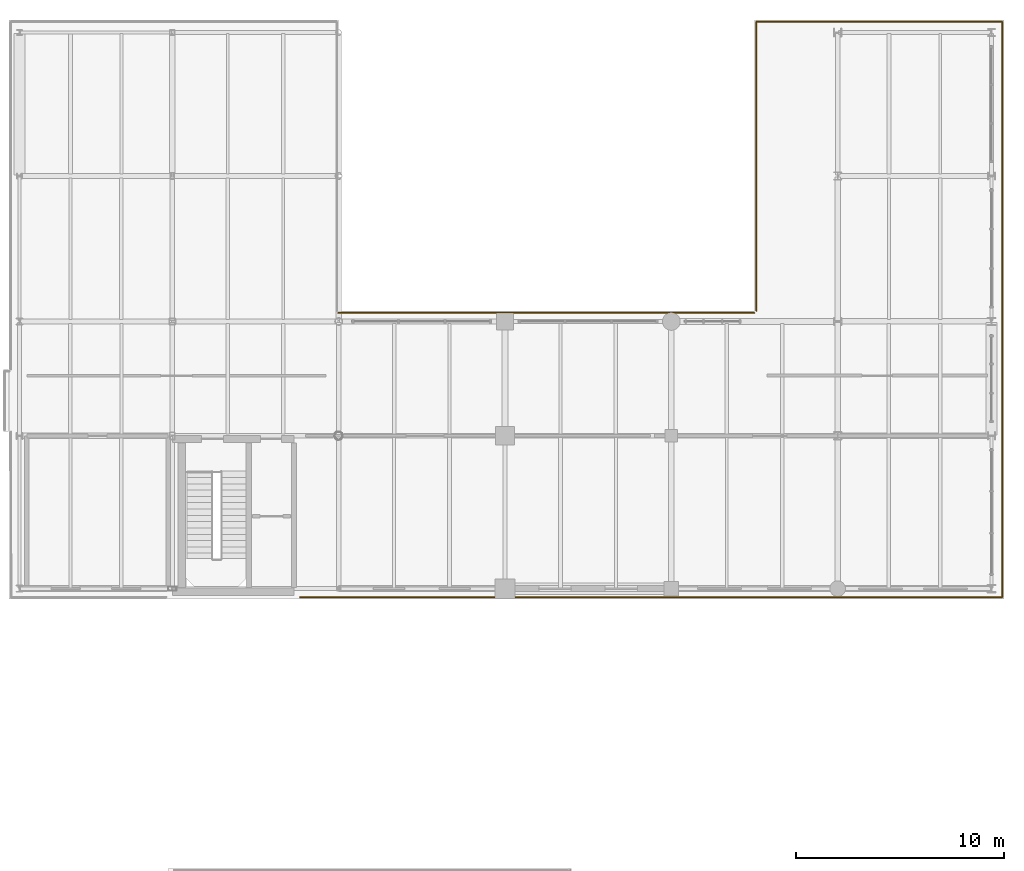
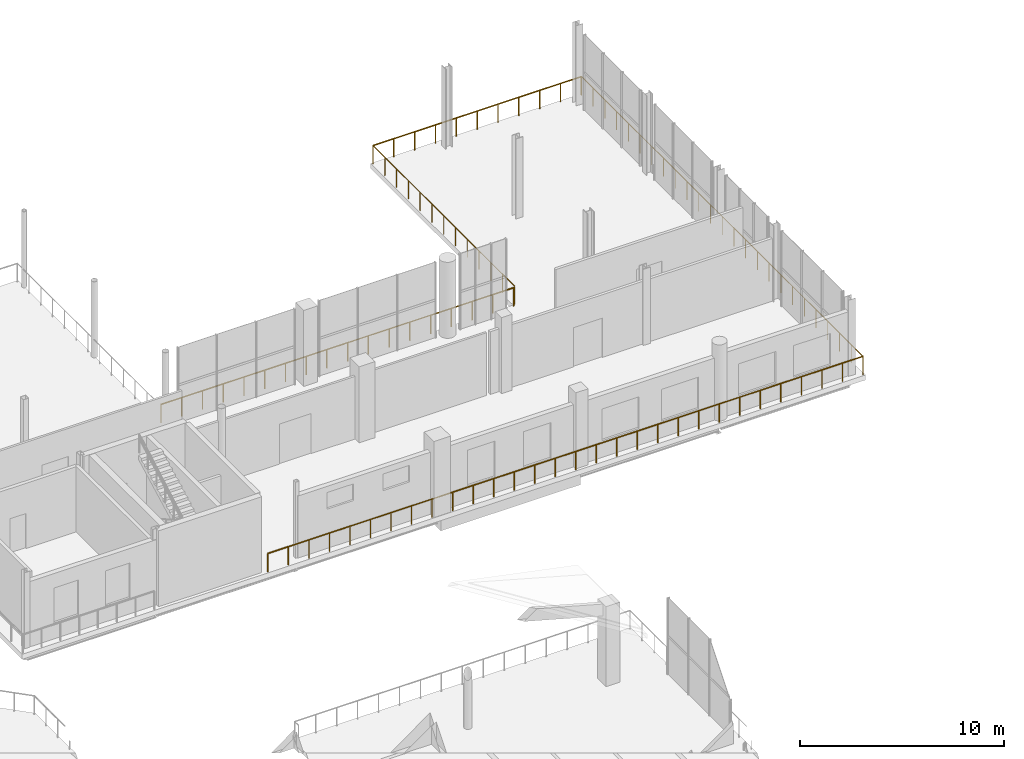
# One storey, part 70 of 70: 5 railings.
"""IFC4 building model written with IfcOpenShell, lengths in metres."""

from ifc_helpers import new_model, si_unit, direction, frame, origin, origin_2d, place, context, subcontext, project, spatial, circle, extrude, material, type_object, element, save


model = new_model("IFC4")

# Units and contexts
model_context = context("Model", 3, precision=1e-05, world=origin(), true_north=direction((0.0, 1.0)))
body_context = subcontext(model_context, "Body", "Model", "MODEL_VIEW")
ifc_project = project(units=[si_unit("LENGTHUNIT", "METRE"), si_unit("AREAUNIT", "SQUARE_METRE"), si_unit("VOLUMEUNIT", "CUBIC_METRE"), si_unit("PLANEANGLEUNIT", "RADIAN"), si_unit("MASSUNIT", "GRAM", prefix="KILO")], contexts=[model_context])

# Site, building, storey
site_placement = place(None, origin())
site = spatial("IfcSite", under=ifc_project, at=site_placement, CompositionType="ELEMENT")
building_placement = place(site_placement, origin())
building = spatial("IfcBuilding", under=site, at=building_placement, Name="Brisemont Oceanarium", CompositionType="ELEMENT")
storey_placement = place(building_placement, frame((0.0, 0.0, 10.199951171875)))
storey = spatial("IfcBuildingStorey", under=building, at=storey_placement, Name="L02", CompositionType="ELEMENT", Elevation=10.199951171875)

# Railings
ifc_material = material(Name="Duplex Stainless Steel EN 1.4462", Category="steel")
railing_type = type_object("IfcRailingType", Name="RLG-GUARD-1120", PredefinedType="GUARDRAIL", material=ifc_material)
railing_1_placement = place(storey_placement, frame((127.98193359375, 93.916748046875, 0.0)))
element("IfcRailing", 1, at=railing_1_placement, inside=storey, type_object=railing_type, Name="L02 slab perimeter safety guard 113", PredefinedType="GUARDRAIL", context=body_context, shape_type="SweptSolid", body=[
    extrude(circle(Radius=0.02392578125, at=origin_2d()), frame((0.0, 0.0, 1.09619140625), z_axis=(0.999999941576, -0.000341830237, 0.0), x_axis=(0.000341830237, 0.999999941576, 0.0)), (0.0, 0.0, 1.0), 19.998046875),
    extrude(circle(Radius=0.02099609375, at=origin_2d()), origin(), (0.0, 0.0, 1.0), 1.072021484375),
    extrude(circle(Radius=0.02099609375, at=origin_2d()), frame((1.17626953125, -0.00048828125, 0.0)), (0.0, 0.0, 1.0), 1.072021484375),
    extrude(circle(Radius=0.02099609375, at=origin_2d()), frame((2.352783203125, -0.000732421875, 0.0)), (0.0, 0.0, 1.0), 1.072021484375),
    extrude(circle(Radius=0.02099609375, at=origin_2d()), frame((3.529052734375, -0.001220703125, 0.0)), (0.0, 0.0, 1.0), 1.072021484375),
    extrude(circle(Radius=0.02099609375, at=origin_2d()), frame((4.705322265625, -0.001708984375, 0.0)), (0.0, 0.0, 1.0), 1.072021484375),
    extrude(circle(Radius=0.02099609375, at=origin_2d()), frame((5.8818359375, -0.001953125, 0.0)), (0.0, 0.0, 1.0), 1.072021484375),
    extrude(circle(Radius=0.02099609375, at=origin_2d()), frame((7.05810546875, -0.00244140625, 0.0)), (0.0, 0.0, 1.0), 1.072021484375),
    extrude(circle(Radius=0.02099609375, at=origin_2d()), frame((8.234375, -0.0029296875, 0.0)), (0.0, 0.0, 1.0), 1.072021484375),
    extrude(circle(Radius=0.02099609375, at=origin_2d()), frame((9.410888671875, -0.003173828125, 0.0)), (0.0, 0.0, 1.0), 1.072021484375),
    extrude(circle(Radius=0.02099609375, at=origin_2d()), frame((10.587158203125, -0.003662109375, 0.0)), (0.0, 0.0, 1.0), 1.072021484375),
    extrude(circle(Radius=0.02099609375, at=origin_2d()), frame((11.763671875, -0.00390625, 0.0)), (0.0, 0.0, 1.0), 1.072021484375),
    extrude(circle(Radius=0.02099609375, at=origin_2d()), frame((12.93994140625, -0.00439453125, 0.0)), (0.0, 0.0, 1.0), 1.072021484375),
    extrude(circle(Radius=0.02099609375, at=origin_2d()), frame((14.1162109375, -0.0048828125, 0.0)), (0.0, 0.0, 1.0), 1.072021484375),
    extrude(circle(Radius=0.02099609375, at=origin_2d()), frame((15.292724609375, -0.005126953125, 0.0)), (0.0, 0.0, 1.0), 1.072021484375),
    extrude(circle(Radius=0.02099609375, at=origin_2d()), frame((16.468994140625, -0.005615234375, 0.0)), (0.0, 0.0, 1.0), 1.072021484375),
    extrude(circle(Radius=0.02099609375, at=origin_2d()), frame((17.645263671875, -0.006103515625, 0.0)), (0.0, 0.0, 1.0), 1.072021484375),
    extrude(circle(Radius=0.02099609375, at=origin_2d()), frame((18.82177734375, -0.00634765625, 0.0)), (0.0, 0.0, 1.0), 1.072021484375),
    extrude(circle(Radius=0.02099609375, at=origin_2d()), frame((19.998046875, -0.0068359375, 0.0)), (0.0, 0.0, 1.0), 1.072021484375),
])
railing_2_placement = place(storey_placement, frame((148.090087890625, 94.02001953125, 0.0)))
element("IfcRailing", 2, at=railing_2_placement, inside=storey, type_object=railing_type, Name="L02 slab perimeter safety guard 114", PredefinedType="GUARDRAIL", context=body_context, shape_type="SweptSolid", body=[
    extrude(circle(Radius=0.02392578125, at=origin_2d()), frame((0.0, 0.0, 1.09619140625), z_axis=(0.0, 1.0, 0.0), x_axis=(-1.0, 0.0, 0.0)), (0.0, 0.0, 1.0), 13.889404296875),
    extrude(circle(Radius=0.02099609375, at=origin_2d()), origin(), (0.0, 0.0, 1.0), 1.072021484375),
    extrude(circle(Radius=0.02099609375, at=origin_2d()), frame((0.0, 1.157470703125, 0.0)), (0.0, 0.0, 1.0), 1.072021484375),
    extrude(circle(Radius=0.02099609375, at=origin_2d()), frame((0.0, 2.31494140625, 0.0)), (0.0, 0.0, 1.0), 1.072021484375),
    extrude(circle(Radius=0.02099609375, at=origin_2d()), frame((0.0, 3.472412109375, 0.0)), (0.0, 0.0, 1.0), 1.072021484375),
    extrude(circle(Radius=0.02099609375, at=origin_2d()), frame((0.0, 4.6298828125, 0.0)), (0.0, 0.0, 1.0), 1.072021484375),
    extrude(circle(Radius=0.02099609375, at=origin_2d()), frame((0.0, 5.787353515625, 0.0)), (0.0, 0.0, 1.0), 1.072021484375),
    extrude(circle(Radius=0.02099609375, at=origin_2d()), frame((0.0, 6.94482421875, 0.0)), (0.0, 0.0, 1.0), 1.072021484375),
    extrude(circle(Radius=0.02099609375, at=origin_2d()), frame((0.0, 8.10205078125, 0.0)), (0.0, 0.0, 1.0), 1.072021484375),
    extrude(circle(Radius=0.02099609375, at=origin_2d()), frame((0.0, 9.259521484375, 0.0)), (0.0, 0.0, 1.0), 1.072021484375),
    extrude(circle(Radius=0.02099609375, at=origin_2d()), frame((0.0, 10.4169921875, 0.0)), (0.0, 0.0, 1.0), 1.072021484375),
    extrude(circle(Radius=0.02099609375, at=origin_2d()), frame((0.0, 11.574462890625, 0.0)), (0.0, 0.0, 1.0), 1.072021484375),
    extrude(circle(Radius=0.02099609375, at=origin_2d()), frame((0.0, 12.73193359375, 0.0)), (0.0, 0.0, 1.0), 1.072021484375),
    extrude(circle(Radius=0.02099609375, at=origin_2d()), frame((0.0, 13.889404296875, 0.0)), (0.0, 0.0, 1.0), 1.072021484375),
])
railing_3_placement = place(storey_placement, frame((148.090087890625, 107.909423828125, 0.0)))
element("IfcRailing", 3, at=railing_3_placement, inside=storey, type_object=railing_type, Name="L02 slab perimeter safety guard 115", PredefinedType="GUARDRAIL", context=body_context, shape_type="SweptSolid", body=[
    extrude(circle(Radius=0.02392578125, at=origin_2d()), frame((0.0, 0.0, 1.09619140625), z_axis=(0.999999999147, 4.1312071e-05, 0.0), x_axis=(-4.1312071e-05, 0.999999999147, 0.0)), (0.0, 0.0, 1.0), 11.8193359375),
    extrude(circle(Radius=0.02099609375, at=origin_2d()), origin(), (0.0, 0.0, 1.0), 1.072021484375),
    extrude(circle(Radius=0.02099609375, at=origin_2d()), frame((1.181884765625, 0.0, 0.0)), (0.0, 0.0, 1.0), 1.072021484375),
    extrude(circle(Radius=0.02099609375, at=origin_2d()), frame((2.36376953125, 0.0, 0.0)), (0.0, 0.0, 1.0), 1.072021484375),
    extrude(circle(Radius=0.02099609375, at=origin_2d()), frame((3.5458984375, 0.000244140625, 0.0)), (0.0, 0.0, 1.0), 1.072021484375),
    extrude(circle(Radius=0.02099609375, at=origin_2d()), frame((4.727783203125, 0.000244140625, 0.0)), (0.0, 0.0, 1.0), 1.072021484375),
    extrude(circle(Radius=0.02099609375, at=origin_2d()), frame((5.90966796875, 0.000244140625, 0.0)), (0.0, 0.0, 1.0), 1.072021484375),
    extrude(circle(Radius=0.02099609375, at=origin_2d()), frame((7.091552734375, 0.000244140625, 0.0)), (0.0, 0.0, 1.0), 1.072021484375),
    extrude(circle(Radius=0.02099609375, at=origin_2d()), frame((8.2734375, 0.000244140625, 0.0)), (0.0, 0.0, 1.0), 1.072021484375),
    extrude(circle(Radius=0.02099609375, at=origin_2d()), frame((9.45556640625, 0.00048828125, 0.0)), (0.0, 0.0, 1.0), 1.072021484375),
    extrude(circle(Radius=0.02099609375, at=origin_2d()), frame((10.637451171875, 0.00048828125, 0.0)), (0.0, 0.0, 1.0), 1.072021484375),
    extrude(circle(Radius=0.02099609375, at=origin_2d()), frame((11.8193359375, 0.00048828125, 0.0)), (0.0, 0.0, 1.0), 1.072021484375),
])
railing_4_placement = place(storey_placement, frame((159.909423828125, 107.909912109375, 0.0)))
element("IfcRailing", 4, at=railing_4_placement, inside=storey, type_object=railing_type, Name="L02 slab perimeter safety guard 116", PredefinedType="GUARDRAIL", context=body_context, shape_type="SweptSolid", body=[
    extrude(circle(Radius=0.02392578125, at=origin_2d()), frame((0.0, 0.0, 1.09619140625), z_axis=(1.7646955e-05, -0.999999999844, 0.0), x_axis=(0.999999999844, 1.7646955e-05, 0.0)), (0.0, 0.0, 1.0), 27.66943359375),
    extrude(circle(Radius=0.02099609375, at=origin_2d()), origin(), (0.0, 0.0, 1.0), 1.072021484375),
    extrude(circle(Radius=0.02099609375, at=origin_2d()), frame((0.0, -1.15283203125, 0.0)), (0.0, 0.0, 1.0), 1.072021484375),
    extrude(circle(Radius=0.02099609375, at=origin_2d()), frame((0.0, -2.3056640625, 0.0)), (0.0, 0.0, 1.0), 1.072021484375),
    extrude(circle(Radius=0.02099609375, at=origin_2d()), frame((0.0, -3.458740234375, 0.0)), (0.0, 0.0, 1.0), 1.072021484375),
    extrude(circle(Radius=0.02099609375, at=origin_2d()), frame((0.0, -4.611572265625, 0.0)), (0.0, 0.0, 1.0), 1.072021484375),
    extrude(circle(Radius=0.02099609375, at=origin_2d()), frame((0.0, -5.764404296875, 0.0)), (0.0, 0.0, 1.0), 1.072021484375),
    extrude(circle(Radius=0.02099609375, at=origin_2d()), frame((0.0, -6.91748046875, 0.0)), (0.0, 0.0, 1.0), 1.072021484375),
    extrude(circle(Radius=0.02099609375, at=origin_2d()), frame((0.000244140625, -8.0703125, 0.0)), (0.0, 0.0, 1.0), 1.072021484375),
    extrude(circle(Radius=0.02099609375, at=origin_2d()), frame((0.000244140625, -9.22314453125, 0.0)), (0.0, 0.0, 1.0), 1.072021484375),
    extrude(circle(Radius=0.02099609375, at=origin_2d()), frame((0.000244140625, -10.3759765625, 0.0)), (0.0, 0.0, 1.0), 1.072021484375),
    extrude(circle(Radius=0.02099609375, at=origin_2d()), frame((0.000244140625, -11.52880859375, 0.0)), (0.0, 0.0, 1.0), 1.072021484375),
    extrude(circle(Radius=0.02099609375, at=origin_2d()), frame((0.000244140625, -12.681884765625, 0.0)), (0.0, 0.0, 1.0), 1.072021484375),
    extrude(circle(Radius=0.02099609375, at=origin_2d()), frame((0.000244140625, -13.834716796875, 0.0)), (0.0, 0.0, 1.0), 1.072021484375),
    extrude(circle(Radius=0.02099609375, at=origin_2d()), frame((0.000244140625, -14.987548828125, 0.0)), (0.0, 0.0, 1.0), 1.072021484375),
    extrude(circle(Radius=0.02099609375, at=origin_2d()), frame((0.000244140625, -16.140625, 0.0)), (0.0, 0.0, 1.0), 1.072021484375),
    extrude(circle(Radius=0.02099609375, at=origin_2d()), frame((0.000244140625, -17.29345703125, 0.0)), (0.0, 0.0, 1.0), 1.072021484375),
    extrude(circle(Radius=0.02099609375, at=origin_2d()), frame((0.000244140625, -18.4462890625, 0.0)), (0.0, 0.0, 1.0), 1.072021484375),
    extrude(circle(Radius=0.02099609375, at=origin_2d()), frame((0.000244140625, -19.59912109375, 0.0)), (0.0, 0.0, 1.0), 1.072021484375),
    extrude(circle(Radius=0.02099609375, at=origin_2d()), frame((0.00048828125, -20.751953125, 0.0)), (0.0, 0.0, 1.0), 1.072021484375),
    extrude(circle(Radius=0.02099609375, at=origin_2d()), frame((0.00048828125, -21.905029296875, 0.0)), (0.0, 0.0, 1.0), 1.072021484375),
    extrude(circle(Radius=0.02099609375, at=origin_2d()), frame((0.00048828125, -23.057861328125, 0.0)), (0.0, 0.0, 1.0), 1.072021484375),
    extrude(circle(Radius=0.02099609375, at=origin_2d()), frame((0.00048828125, -24.210693359375, 0.0)), (0.0, 0.0, 1.0), 1.072021484375),
    extrude(circle(Radius=0.02099609375, at=origin_2d()), frame((0.00048828125, -25.36376953125, 0.0)), (0.0, 0.0, 1.0), 1.072021484375),
    extrude(circle(Radius=0.02099609375, at=origin_2d()), frame((0.00048828125, -26.5166015625, 0.0)), (0.0, 0.0, 1.0), 1.072021484375),
    extrude(circle(Radius=0.02099609375, at=origin_2d()), frame((0.00048828125, -27.66943359375, 0.0)), (0.0, 0.0, 1.0), 1.072021484375),
])
railing_5_placement = place(storey_placement, frame((159.909912109375, 80.240478515625, 0.0)))
element("IfcRailing", 5, at=railing_5_placement, inside=storey, type_object=railing_type, Name="L02 slab perimeter safety guard 117", PredefinedType="GUARDRAIL", context=body_context, shape_type="SweptSolid", body=[
    extrude(circle(Radius=0.02392578125, at=origin_2d()), frame((0.0, 0.0, 1.09619140625), z_axis=(-0.999999999895, -1.4463303e-05, 0.0), x_axis=(1.4463303e-05, -0.999999999895, 0.0)), (0.0, 0.0, 1.0), 33.760009765625),
    extrude(circle(Radius=0.02099609375, at=origin_2d()), origin(), (0.0, 0.0, 1.0), 1.072021484375),
    extrude(circle(Radius=0.02099609375, at=origin_2d()), frame((-1.1640625, 0.0, 0.0)), (0.0, 0.0, 1.0), 1.072021484375),
    extrude(circle(Radius=0.02099609375, at=origin_2d()), frame((-2.328369140625, 0.0, 0.0)), (0.0, 0.0, 1.0), 1.072021484375),
    extrude(circle(Radius=0.02099609375, at=origin_2d()), frame((-3.492431640625, 0.0, 0.0)), (0.0, 0.0, 1.0), 1.072021484375),
    extrude(circle(Radius=0.02099609375, at=origin_2d()), frame((-4.656494140625, 0.0, 0.0)), (0.0, 0.0, 1.0), 1.072021484375),
    extrude(circle(Radius=0.02099609375, at=origin_2d()), frame((-5.82080078125, 0.0, 0.0)), (0.0, 0.0, 1.0), 1.072021484375),
    extrude(circle(Radius=0.02099609375, at=origin_2d()), frame((-6.98486328125, 0.0, 0.0)), (0.0, 0.0, 1.0), 1.072021484375),
    extrude(circle(Radius=0.02099609375, at=origin_2d()), frame((-8.14892578125, 0.0, 0.0)), (0.0, 0.0, 1.0), 1.072021484375),
    extrude(circle(Radius=0.02099609375, at=origin_2d()), frame((-9.31298828125, -0.000244140625, 0.0)), (0.0, 0.0, 1.0), 1.072021484375),
    extrude(circle(Radius=0.02099609375, at=origin_2d()), frame((-10.477294921875, -0.000244140625, 0.0)), (0.0, 0.0, 1.0), 1.072021484375),
    extrude(circle(Radius=0.02099609375, at=origin_2d()), frame((-11.641357421875, -0.000244140625, 0.0)), (0.0, 0.0, 1.0), 1.072021484375),
    extrude(circle(Radius=0.02099609375, at=origin_2d()), frame((-12.805419921875, -0.000244140625, 0.0)), (0.0, 0.0, 1.0), 1.072021484375),
    extrude(circle(Radius=0.02099609375, at=origin_2d()), frame((-13.9697265625, -0.000244140625, 0.0)), (0.0, 0.0, 1.0), 1.072021484375),
    extrude(circle(Radius=0.02099609375, at=origin_2d()), frame((-15.1337890625, -0.000244140625, 0.0)), (0.0, 0.0, 1.0), 1.072021484375),
    extrude(circle(Radius=0.02099609375, at=origin_2d()), frame((-16.2978515625, -0.000244140625, 0.0)), (0.0, 0.0, 1.0), 1.072021484375),
    extrude(circle(Radius=0.02099609375, at=origin_2d()), frame((-17.462158203125, -0.000244140625, 0.0)), (0.0, 0.0, 1.0), 1.072021484375),
    extrude(circle(Radius=0.02099609375, at=origin_2d()), frame((-18.626220703125, -0.000244140625, 0.0)), (0.0, 0.0, 1.0), 1.072021484375),
    extrude(circle(Radius=0.02099609375, at=origin_2d()), frame((-19.790283203125, -0.000244140625, 0.0)), (0.0, 0.0, 1.0), 1.072021484375),
    extrude(circle(Radius=0.02099609375, at=origin_2d()), frame((-20.95458984375, -0.000244140625, 0.0)), (0.0, 0.0, 1.0), 1.072021484375),
    extrude(circle(Radius=0.02099609375, at=origin_2d()), frame((-22.11865234375, -0.000244140625, 0.0)), (0.0, 0.0, 1.0), 1.072021484375),
    extrude(circle(Radius=0.02099609375, at=origin_2d()), frame((-23.28271484375, -0.000244140625, 0.0)), (0.0, 0.0, 1.0), 1.072021484375),
    extrude(circle(Radius=0.02099609375, at=origin_2d()), frame((-24.447021484375, -0.000244140625, 0.0)), (0.0, 0.0, 1.0), 1.072021484375),
    extrude(circle(Radius=0.02099609375, at=origin_2d()), frame((-25.611083984375, -0.00048828125, 0.0)), (0.0, 0.0, 1.0), 1.072021484375),
    extrude(circle(Radius=0.02099609375, at=origin_2d()), frame((-26.775146484375, -0.00048828125, 0.0)), (0.0, 0.0, 1.0), 1.072021484375),
    extrude(circle(Radius=0.02099609375, at=origin_2d()), frame((-27.939208984375, -0.00048828125, 0.0)), (0.0, 0.0, 1.0), 1.072021484375),
    extrude(circle(Radius=0.02099609375, at=origin_2d()), frame((-29.103515625, -0.00048828125, 0.0)), (0.0, 0.0, 1.0), 1.072021484375),
    extrude(circle(Radius=0.02099609375, at=origin_2d()), frame((-30.267578125, -0.00048828125, 0.0)), (0.0, 0.0, 1.0), 1.072021484375),
    extrude(circle(Radius=0.02099609375, at=origin_2d()), frame((-31.431640625, -0.00048828125, 0.0)), (0.0, 0.0, 1.0), 1.072021484375),
    extrude(circle(Radius=0.02099609375, at=origin_2d()), frame((-32.595947265625, -0.00048828125, 0.0)), (0.0, 0.0, 1.0), 1.072021484375),
    extrude(circle(Radius=0.02099609375, at=origin_2d()), frame((-33.760009765625, -0.00048828125, 0.0)), (0.0, 0.0, 1.0), 1.072021484375),
])

save(model, "model.ifc")
